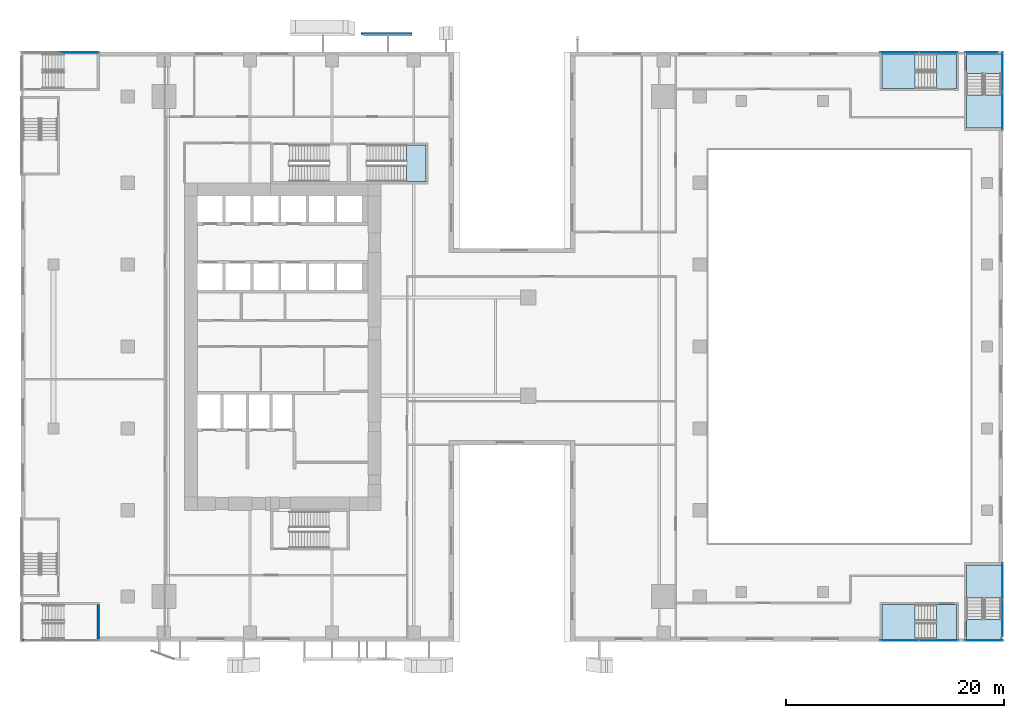
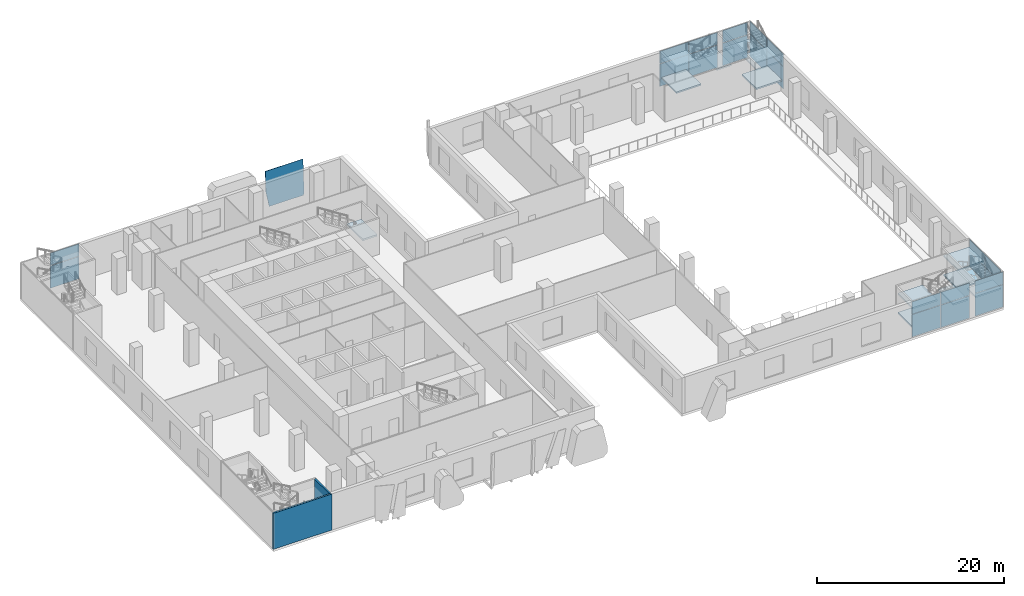
# One storey, part 9 of 23: 23 plates, 13 slabs, 2 walls, 12 elements without a shape of their own.
"""IFC4 building model written with IfcOpenShell, lengths in metres."""

import ifcopenshell
import ifcopenshell.guid

model = None  # the IFC model being written
_history = None  # IfcOwnerHistory: only IFC2X3 demands one
_inside = {}  # id of a spatial element -> (the spatial element, [elements in it])
_under = {}  # id of a project, library or spatial element -> (it, [spatial elements below it])
_declared = {}  # id of a project -> (the project, [libraries it declares])
_typed = {}  # id of a type object -> (the type object, [elements of that type])
_made_of = {}  # id of a material, layer set ... -> (it, [elements and type objects made of it])


def new_model(schema):
    """Start an empty IFC model of exactly this schema.

    Asked for "IFC4X3", IfcOpenShell would pick the latest addendum, in which some entities
    have other attributes; the version numbers below select the first issue.
    IFC2X3 requires an IfcOwnerHistory on every rooted entity: one is made here for all.
    """
    global model, _history
    if schema == "IFC4X3":
        model = ifcopenshell.file(schema_version=(4, 3, 0, 0))
    else:
        model = ifcopenshell.file(schema=schema)
    _inside.clear()
    _under.clear()
    _declared.clear()
    _typed.clear()
    _made_of.clear()
    _history = None
    if model.schema == "IFC2X3":
        org = make("IfcOrganization", Name="unknown")
        user = make(
            "IfcPersonAndOrganization",
            ThePerson=make("IfcPerson", FamilyName="unknown"),
            TheOrganization=org,
        )
        app = make(
            "IfcApplication",
            ApplicationDeveloper=org,
            Version="unknown",
            ApplicationFullName="unknown",
            ApplicationIdentifier="unknown",
        )
        _history = make(
            "IfcOwnerHistory",
            OwningUser=user,
            OwningApplication=app,
            ChangeAction="ADDED",
            CreationDate=0,
        )
    return model


def make(cls, **values):
    """One entity of the class cls with the attributes given. An attribute that is None is left unset."""
    return model.create_entity(
        cls, **{name: value for name, value in values.items() if value is not None}
    )


def rooted(cls, **values):
    """An entity with a GlobalId (a new one), such as an element, a storey or a relation."""
    return make(cls, GlobalId=ifcopenshell.guid.new(), OwnerHistory=_history, **values)


def si_unit(unit_type, name, prefix=None):
    """IfcSIUnit, for example si_unit("LENGTHUNIT", "METRE", prefix="MILLI")."""
    return make("IfcSIUnit", UnitType=unit_type, Prefix=prefix, Name=name)


def assignment(units):
    """IfcUnitAssignment: the units of a project."""
    return None if units is None else make("IfcUnitAssignment", Units=units)


def point(xyz):
    """IfcCartesianPoint."""
    return None if xyz is None else make("IfcCartesianPoint", Coordinates=xyz)


def direction(xyz):
    """IfcDirection."""
    return None if xyz is None else make("IfcDirection", DirectionRatios=xyz)


def frame(location, z_axis=None, x_axis=None):
    """IfcAxis2Placement3D, a coordinate frame: its origin and axes. An axis left out is left unset."""
    return make(
        "IfcAxis2Placement3D",
        Location=point(location),
        Axis=direction(z_axis),
        RefDirection=direction(x_axis),
    )


def frame_2d(location, x_axis=None):
    """IfcAxis2Placement2D, a coordinate frame in the plane: its origin and x axis."""
    return make(
        "IfcAxis2Placement2D", Location=point(location), RefDirection=direction(x_axis)
    )


def origin():
    """The frame at (0, 0, 0) with its axes left unset."""
    return frame((0.0, 0.0, 0.0))


def origin_2d():
    """The frame at (0, 0) in the plane with its x axis left unset."""
    return frame_2d((0.0, 0.0))


def place(relative_to, where):
    """IfcLocalPlacement: puts the frame where relative to a parent placement (None: the world)."""
    return make(
        "IfcLocalPlacement", PlacementRelTo=relative_to, RelativePlacement=where
    )


def context(
    kind, dimensions, precision=None, world=None, true_north=None, identifier=None
):
    """IfcGeometricRepresentationContext, for example the 3D "Model" context."""
    return make(
        "IfcGeometricRepresentationContext",
        ContextIdentifier=identifier,
        ContextType=kind,
        CoordinateSpaceDimension=dimensions,
        Precision=precision,
        WorldCoordinateSystem=world,
        TrueNorth=true_north,
    )


def subcontext(parent, identifier, kind, view, scale=None):
    """IfcGeometricRepresentationSubContext, for example "Body" below "Model"."""
    return make(
        "IfcGeometricRepresentationSubContext",
        ContextIdentifier=identifier,
        ContextType=kind,
        ParentContext=parent,
        TargetScale=scale,
        TargetView=view,
    )


def project(units=None, contexts=None):
    """IfcProject with its units and contexts."""
    return rooted(
        "IfcProject",
        Name="project",
        RepresentationContexts=contexts,
        UnitsInContext=assignment(units),
    )


def spatial(cls, under=None, at=None, **own):
    """A site, building, storey or space (cls), placed at a placement, below another one or the project."""
    s = rooted(cls, ObjectPlacement=at, **own)
    if under is not None:
        _under.setdefault(under.id(), (under, []))[1].append(s)
    return s


def polyline(points):
    """IfcPolyline through the points."""
    return make("IfcPolyline", Points=[point(p) for p in points])


def profile(cls, at=None, kind="AREA", **sizes):
    """A parametric profile (cls). Its sizes go by their IFC names, for example OverallWidth=200.0."""
    return make(cls, ProfileType=kind, Position=at, **sizes)


def rectangle(**sizes):
    """IfcRectangleProfileDef."""
    return profile("IfcRectangleProfileDef", **sizes)


def outline(outer, holes=None, kind="AREA"):
    """IfcArbitraryClosedProfileDef: a profile drawn as a closed curve; with holes, ...WithVoids."""
    if holes is None:
        return make("IfcArbitraryClosedProfileDef", ProfileType=kind, OuterCurve=outer)
    return make(
        "IfcArbitraryProfileDefWithVoids",
        ProfileType=kind,
        OuterCurve=outer,
        InnerCurves=holes,
    )


def extrude(swept, where, along, depth):
    """IfcExtrudedAreaSolid: the profile swept, set in the frame where, extruded along a direction by depth."""
    return make(
        "IfcExtrudedAreaSolid",
        SweptArea=swept,
        Position=where,
        ExtrudedDirection=direction(along),
        Depth=depth,
    )


def shape(context_of_items, identifier, shape_type, items):
    """IfcShapeRepresentation: the items that make up one representation, for example the "Body"."""
    return make(
        "IfcShapeRepresentation",
        ContextOfItems=context_of_items,
        RepresentationIdentifier=identifier,
        RepresentationType=shape_type,
        Items=items,
    )


def source(mapping_origin, context_of_items, identifier, shape_type, items):
    """IfcRepresentationMap: a shape defined once, which mapped items show again and again."""
    return make(
        "IfcRepresentationMap",
        MappingOrigin=mapping_origin,
        MappedRepresentation=shape(context_of_items, identifier, shape_type, items),
    )


def transform(
    local_origin,
    x_axis=None,
    y_axis=None,
    z_axis=None,
    scale=None,
    scale2=None,
    scale3=None,
    uniform=True,
):
    """IfcCartesianTransformationOperator3D, or its non-uniform kind. x_axis, y_axis, z_axis: its Axis1, 2, 3."""
    if uniform:
        return make(
            "IfcCartesianTransformationOperator3D",
            Axis1=direction(x_axis),
            Axis2=direction(y_axis),
            LocalOrigin=point(local_origin),
            Scale=scale,
            Axis3=direction(z_axis),
        )
    return make(
        "IfcCartesianTransformationOperator3DnonUniform",
        Axis1=direction(x_axis),
        Axis2=direction(y_axis),
        LocalOrigin=point(local_origin),
        Scale=scale,
        Axis3=direction(z_axis),
        Scale2=scale2,
        Scale3=scale3,
    )


def mapped(mapping_source, mapping_target):
    """IfcMappedItem: shows the shape of a source again, moved by a transform."""
    return make(
        "IfcMappedItem", MappingSource=mapping_source, MappingTarget=mapping_target
    )


def material(Name=None, Category=None):
    """IfcMaterial."""
    return make("IfcMaterial", Name=Name, Category=Category)


def layer(
    of_material, thickness, ventilated=None, Name=None, Category=None, Priority=None
):
    """IfcMaterialLayer: one layer of a wall or slab, of a material (None: an air gap)."""
    return make(
        "IfcMaterialLayer",
        Material=of_material,
        LayerThickness=thickness,
        IsVentilated=ventilated,
        Name=Name,
        Category=Category,
        Priority=Priority,
    )


def layer_set(layers, Name=None):
    """IfcMaterialLayerSet."""
    return make("IfcMaterialLayerSet", MaterialLayers=layers, LayerSetName=Name)


def made_of(thing, what):
    """Note that an element or type object is made of a material, layer set ...; save() writes the relation."""
    if what is not None:
        _made_of.setdefault(what.id(), (what, []))[1].append(thing)
    return thing


def type_object(cls, material=None, **own):
    """A type object (cls), such as IfcWallType, which elements share."""
    return made_of(rooted(cls, **own), material)


def element(
    cls,
    number,
    at=None,
    inside=None,
    cuts=None,
    type_object=None,
    material=None,
    context=None,
    identifier="Body",
    shape_type=None,
    held_by="IfcProductDefinitionShape",
    body=None,
    shapes=None,
    **own,
):
    """One element of the class cls, such as IfcWall. Its Tag is "e" and its number.

    at: its placement. inside: the storey or other place that contains it. cuts: it is an
    opening in that element (IfcRelVoidsElement). A single representation is given by context,
    identifier, shape_type and body (its items); several are given by shapes. held_by: the class
    of the entity that holds the representations. save() writes the other relations.
    """
    e = rooted(cls, Tag="e%d" % number, ObjectPlacement=at, **own)
    if body is not None:
        shapes = [shape(context, identifier, shape_type, body)]
    if shapes is not None:
        e.Representation = make(held_by, Representations=shapes)
    if inside is not None:
        _inside.setdefault(inside.id(), (inside, []))[1].append(e)
    if cuts is not None:
        rooted(
            "IfcRelVoidsElement", RelatingBuildingElement=cuts, RelatedOpeningElement=e
        )
    if type_object is not None:
        _typed.setdefault(type_object.id(), (type_object, []))[1].append(e)
    return made_of(e, material)


def aggregate(whole, parts):
    """IfcRelAggregates: a whole, such as a stair, and the parts it consists of."""
    return rooted("IfcRelAggregates", RelatingObject=whole, RelatedObjects=parts)


def save(model, path):
    """Write the relations noted so far, then the file.

    IfcRelAggregates (storeys below a building ...), IfcRelContainedInSpatialStructure (elements
    in a storey), IfcRelDefinesByType, IfcRelAssociatesMaterial and IfcRelDeclares: one each for
    every whole, place, type object, material and project.
    """
    for whole, parts in _under.values():
        aggregate(whole, parts)
    for where, things in _inside.values():
        rooted(
            "IfcRelContainedInSpatialStructure",
            RelatedElements=things,
            RelatingStructure=where,
        )
    for kind, things in _typed.values():
        rooted("IfcRelDefinesByType", RelatedObjects=things, RelatingType=kind)
    for what, things in _made_of.values():
        rooted("IfcRelAssociatesMaterial", RelatedObjects=things, RelatingMaterial=what)
    for by, libraries in _declared.values():
        rooted("IfcRelDeclares", RelatingContext=by, RelatedDefinitions=libraries)
    model.write(path)


model = new_model("IFC4")

# Units and contexts
model_context = context("Model", 3, precision=1e-05, world=origin(), true_north=direction((0.0, 1.0)))
body_context = subcontext(model_context, "Body", "Model", "MODEL_VIEW")
ifc_project = project(units=[si_unit("LENGTHUNIT", "METRE"), si_unit("AREAUNIT", "SQUARE_METRE"), si_unit("VOLUMEUNIT", "CUBIC_METRE"), si_unit("PLANEANGLEUNIT", "RADIAN"), si_unit("MASSUNIT", "GRAM", prefix="KILO")], contexts=[model_context])

# Site, building, storey
site_placement = place(None, origin())
site = spatial("IfcSite", under=ifc_project, at=site_placement, CompositionType="ELEMENT")
building_placement = place(site_placement, origin())
building = spatial("IfcBuilding", under=site, at=building_placement, Name="Khomas Fold Tower", CompositionType="ELEMENT")
storey_placement = place(building_placement, frame((0.0, 0.0, 18.5)))
storey = spatial("IfcBuildingStorey", under=building, at=storey_placement, Name="L03", CompositionType="ELEMENT", Elevation=18.5)

# Plate
ifc_material_1 = material(Name="Clear laminated glass", Category="glass")
ifc_layer_1 = layer(ifc_material_1, 0.0400390625)
ifc_layer_set_1 = layer_set([ifc_layer_1], Name="Clear laminated glass")
plate_type_1 = type_object("IfcPlateType", Name="SK-Clear laminated glass leaf", PredefinedType="SHEET", material=ifc_layer_set_1)
plate_1_placement = place(storey_placement, frame((22.169921875, 55.5810546875, 1.99658203125), z_axis=(1.1925548e-05, -0.998631536075, 0.052297753443), x_axis=(3.05e-10, 0.052297753447, 0.998631536146)))
element("IfcPlate", 1, at=plate_1_placement, inside=storey, type_object=plate_type_1, Name="OUTER SKIN glass L03 NG102-1", PredefinedType="SHEET", context=body_context, shape_type="SweptSolid", body=[
    extrude(outline(polyline([(0.0, 0.0), (2.5569693372644378, -2.117582368135751e-22), (2.5569693386858865, -4.66015624966862), (-1.6406671740015497, -4.660156251480852), (-1.9993144861719894, -4.572753907340372), (-1.9993144874590976, -0.3530273451404338), (0.0, 0.0)])), origin(), (0.0, 0.0, -1.0), 0.0400390625),
])

# Curtain wall, plate
ifc_material_2 = material(Name="Aluminium framed double glazing", Category="aluminium")
curtain_wall_type = type_object("IfcCurtainWallType", Name="Shopfront glazing PD-CW", PredefinedType="NOTDEFINED", material=ifc_material_2)
curtain_wall_1_placement = place(storey_placement, origin())
curtain_wall_1 = element("IfcCurtainWall", 2, at=curtain_wall_1_placement, inside=storey, type_object=curtain_wall_type, Name="Podium stair-tower glazing", PredefinedType="NOTDEFINED")
ifc_material_3 = material(Name="Double glazed unit")
ifc_layer_2 = layer(ifc_material_3, 0.031982421875)
ifc_layer_set_2 = layer_set([ifc_layer_2], Name="Double glazed unit")
plate_type_2 = type_object("IfcPlateType", Name="Shopfront glazing panel PD-CW-P", PredefinedType="CURTAIN_PANEL", material=ifc_layer_set_2)
shared_shape_1 = source(origin(), body_context, "Body", "SweptSolid", [
    extrude(rectangle(XDim=3.0400390625, YDim=0.031982421875, at=origin_2d()), origin(), (0.0, 0.0, 1.0), 2.909912109375),
])
plate_2_placement = place(storey_placement, frame((79.02001953125, 53.919921875, 0.06005859375), z_axis=(0.0, 0.0, 1.0), x_axis=(-1.0, 0.0, 0.0)))
plate_2 = element("IfcPlate", 3, at=plate_2_placement, type_object=plate_type_2, Name="PD-CW panel 1.1", PredefinedType="CURTAIN_PANEL", context=body_context, shape_type="MappedRepresentation", body=[
    mapped(shared_shape_1, transform((0.0, 0.0, 0.0))),
])

# Curtain wall, plates
curtain_wall_2_placement = place(storey_placement, origin())
curtain_wall_2 = element("IfcCurtainWall", 4, at=curtain_wall_2_placement, inside=storey, type_object=curtain_wall_type, Name="Podium stair-tower glazing", PredefinedType="NOTDEFINED")
shared_shape_2 = source(origin(), body_context, "Body", "SweptSolid", [
    extrude(rectangle(XDim=3.52001953125, YDim=0.031982421875, at=origin_2d()), origin(), (0.0, 0.0, 1.0), 2.909912109375),
])
plate_3_placement = place(storey_placement, frame((71.510009765625, 0.080078125, 0.06005859375), z_axis=(0.0, 0.0, 1.0), x_axis=(1.0, 0.0, 0.0)))
plate_3 = element("IfcPlate", 5, at=plate_3_placement, type_object=plate_type_2, Name="PD-CW panel 1.1", PredefinedType="CURTAIN_PANEL", context=body_context, shape_type="MappedRepresentation", body=[
    mapped(shared_shape_2, transform((0.0, 0.0, 0.0))),
])
plate_4_placement = place(storey_placement, frame((75.090087890625, 0.080078125, 0.06005859375), z_axis=(0.0, 0.0, 1.0), x_axis=(1.0, 0.0, 0.0)))
plate_4 = element("IfcPlate", 6, at=plate_4_placement, type_object=plate_type_2, Name="PD-CW panel 2.1", PredefinedType="CURTAIN_PANEL", context=body_context, shape_type="MappedRepresentation", body=[
    mapped(shared_shape_2, transform((0.0, 0.0, 0.0))),
])

curtain_wall_3_placement = place(storey_placement, origin())
curtain_wall_3 = element("IfcCurtainWall", 7, at=curtain_wall_3_placement, inside=storey, type_object=curtain_wall_type, Name="Podium stair-tower glazing", PredefinedType="NOTDEFINED")
plate_5_placement = place(storey_placement, frame((75.090087890625, 53.919921875, 0.06005859375), z_axis=(0.0, 0.0, 1.0), x_axis=(-1.0, 0.0, 0.0)))
plate_5 = element("IfcPlate", 8, at=plate_5_placement, type_object=plate_type_2, Name="PD-CW panel 1.1", PredefinedType="CURTAIN_PANEL", context=body_context, shape_type="MappedRepresentation", body=[
    mapped(shared_shape_2, transform((0.0, 0.0, 0.0))),
])
plate_6_placement = place(storey_placement, frame((71.510009765625, 53.919921875, 0.06005859375), z_axis=(0.0, 0.0, 1.0), x_axis=(-1.0, 0.0, 0.0)))
plate_6 = element("IfcPlate", 9, at=plate_6_placement, type_object=plate_type_2, Name="PD-CW panel 2.1", PredefinedType="CURTAIN_PANEL", context=body_context, shape_type="MappedRepresentation", body=[
    mapped(shared_shape_2, transform((0.0, 0.0, 0.0))),
])

# Curtain wall, plate
curtain_wall_4_placement = place(storey_placement, origin())
curtain_wall_4 = element("IfcCurtainWall", 10, at=curtain_wall_4_placement, inside=storey, type_object=curtain_wall_type, Name="Podium stair-tower glazing", PredefinedType="NOTDEFINED")
shared_shape_3 = source(origin(), body_context, "Body", "SweptSolid", [
    extrude(rectangle(XDim=3.43994140625, YDim=0.031982421875, at=origin_2d()), origin(), (0.0, 0.0, 1.0), 2.909912109375),
])
plate_7_placement = place(storey_placement, frame((79.219970703125, 0.080078125, 0.06005859375), z_axis=(0.0, 0.0, 1.0), x_axis=(1.0, 0.0, 0.0)))
plate_7 = element("IfcPlate", 11, at=plate_7_placement, type_object=plate_type_2, Name="PD-CW panel 1.1", PredefinedType="CURTAIN_PANEL", context=body_context, shape_type="MappedRepresentation", body=[
    mapped(shared_shape_3, transform((0.0, 0.0, 0.0))),
])

# Curtain wall, plates
curtain_wall_5_placement = place(storey_placement, origin())
curtain_wall_5 = element("IfcCurtainWall", 12, at=curtain_wall_5_placement, inside=storey, type_object=curtain_wall_type, Name="Podium stair-tower glazing", PredefinedType="NOTDEFINED")
shared_shape_4 = source(origin(), body_context, "Body", "SweptSolid", [
    extrude(rectangle(XDim=3.31494140625, YDim=0.031982421875, at=origin_2d()), origin(), (0.0, 0.0, 1.0), 2.909912109375),
])
plate_8_placement = place(storey_placement, frame((80.919921875, 2.117431640625, 0.06005859375), z_axis=(0.0, 0.0, 1.0), x_axis=(0.0, 1.0, 0.0)))
plate_8 = element("IfcPlate", 13, at=plate_8_placement, type_object=plate_type_2, Name="PD-CW panel 1.1", PredefinedType="CURTAIN_PANEL", context=body_context, shape_type="MappedRepresentation", body=[
    mapped(shared_shape_4, transform((0.0, 0.0, 0.0))),
])
plate_9_placement = place(storey_placement, frame((80.919921875, 5.492431640625, 0.06005859375), z_axis=(0.0, 0.0, 1.0), x_axis=(0.0, 1.0, 0.0)))
plate_9 = element("IfcPlate", 14, at=plate_9_placement, type_object=plate_type_2, Name="PD-CW panel 2.1", PredefinedType="CURTAIN_PANEL", context=body_context, shape_type="MappedRepresentation", body=[
    mapped(shared_shape_4, transform((0.0, 0.0, 0.0))),
])

curtain_wall_6_placement = place(storey_placement, origin())
curtain_wall_6 = element("IfcCurtainWall", 15, at=curtain_wall_6_placement, inside=storey, type_object=curtain_wall_type, Name="Podium stair-tower glazing", PredefinedType="NOTDEFINED")
shared_shape_5 = source(origin(), body_context, "Body", "SweptSolid", [
    extrude(rectangle(XDim=3.514892578125, YDim=0.031982421875, at=origin_2d()), origin(), (0.0, 0.0, 1.0), 2.909912109375),
])
plate_10_placement = place(storey_placement, frame((80.919921875, 48.607421875, 0.06005859375), z_axis=(0.0, 0.0, 1.0), x_axis=(0.0, 1.0, 0.0)))
plate_10 = element("IfcPlate", 16, at=plate_10_placement, type_object=plate_type_2, Name="PD-CW panel 1.1", PredefinedType="CURTAIN_PANEL", context=body_context, shape_type="MappedRepresentation", body=[
    mapped(shared_shape_5, transform((0.0, 0.0, 0.0))),
])
plate_11_placement = place(storey_placement, frame((80.919921875, 52.1826171875, 0.06005859375), z_axis=(0.0, 0.0, 1.0), x_axis=(0.0, 1.0, 0.0)))
plate_11 = element("IfcPlate", 17, at=plate_11_placement, type_object=plate_type_2, Name="PD-CW panel 2.1", PredefinedType="CURTAIN_PANEL", context=body_context, shape_type="MappedRepresentation", body=[
    mapped(shared_shape_5, transform((0.0, 0.0, 0.0))),
])

# Curtain wall, plate
curtain_wall_7_placement = place(storey_placement, origin())
curtain_wall_7 = element("IfcCurtainWall", 18, at=curtain_wall_7_placement, inside=storey, type_object=curtain_wall_type, Name="Podium stair-tower glazing", PredefinedType="NOTDEFINED")
plate_12_placement = place(storey_placement, frame((-3.607421875, 53.919921875, 0.06005859375), z_axis=(0.0, 0.0, 1.0), x_axis=(-1.0, 0.0, 0.0)))
plate_12 = element("IfcPlate", 19, at=plate_12_placement, type_object=plate_type_2, Name="PD-CW panel 1.1", PredefinedType="CURTAIN_PANEL", context=body_context, shape_type="MappedRepresentation", body=[
    mapped(shared_shape_5, transform((0.0, 0.0, 0.0))),
])

# Plate
shared_shape_6 = source(origin(), body_context, "Body", "SweptSolid", [
    extrude(rectangle(XDim=3.0400390625, YDim=0.031982421875, at=origin_2d()), origin(), (0.0, 0.0, 1.0), 1.610107421875),
])
plate_13_placement = place(storey_placement, frame((79.02001953125, 53.919921875, 3.02978515625), z_axis=(0.0, 0.0, 1.0), x_axis=(-1.0, 0.0, 0.0)))
plate_13 = element("IfcPlate", 20, at=plate_13_placement, type_object=plate_type_2, Name="PD-CW panel 1.2", PredefinedType="CURTAIN_PANEL", context=body_context, shape_type="MappedRepresentation", body=[
    mapped(shared_shape_6, transform((0.0, 0.0, 0.0))),
])

aggregate(curtain_wall_1, [plate_2, plate_13])

shared_shape_7 = source(origin(), body_context, "Body", "SweptSolid", [
    extrude(rectangle(XDim=3.52001953125, YDim=0.031982421875, at=origin_2d()), origin(), (0.0, 0.0, 1.0), 1.610107421875),
])
plate_14_placement = place(storey_placement, frame((71.510009765625, 0.080078125, 3.02978515625), z_axis=(0.0, 0.0, 1.0), x_axis=(1.0, 0.0, 0.0)))
plate_14 = element("IfcPlate", 21, at=plate_14_placement, type_object=plate_type_2, Name="PD-CW panel 1.2", PredefinedType="CURTAIN_PANEL", context=body_context, shape_type="MappedRepresentation", body=[
    mapped(shared_shape_7, transform((0.0, 0.0, 0.0))),
])

plate_15_placement = place(storey_placement, frame((75.090087890625, 0.080078125, 3.02978515625), z_axis=(0.0, 0.0, 1.0), x_axis=(1.0, 0.0, 0.0)))
plate_15 = element("IfcPlate", 22, at=plate_15_placement, type_object=plate_type_2, Name="PD-CW panel 2.2", PredefinedType="CURTAIN_PANEL", context=body_context, shape_type="MappedRepresentation", body=[
    mapped(shared_shape_7, transform((0.0, 0.0, 0.0))),
])

aggregate(curtain_wall_2, [plate_3, plate_14, plate_4, plate_15])

plate_16_placement = place(storey_placement, frame((75.090087890625, 53.919921875, 3.02978515625), z_axis=(0.0, 0.0, 1.0), x_axis=(-1.0, 0.0, 0.0)))
plate_16 = element("IfcPlate", 23, at=plate_16_placement, type_object=plate_type_2, Name="PD-CW panel 1.2", PredefinedType="CURTAIN_PANEL", context=body_context, shape_type="MappedRepresentation", body=[
    mapped(shared_shape_7, transform((0.0, 0.0, 0.0))),
])

plate_17_placement = place(storey_placement, frame((71.510009765625, 53.919921875, 3.02978515625), z_axis=(0.0, 0.0, 1.0), x_axis=(-1.0, 0.0, 0.0)))
plate_17 = element("IfcPlate", 24, at=plate_17_placement, type_object=plate_type_2, Name="PD-CW panel 2.2", PredefinedType="CURTAIN_PANEL", context=body_context, shape_type="MappedRepresentation", body=[
    mapped(shared_shape_7, transform((0.0, 0.0, 0.0))),
])

aggregate(curtain_wall_3, [plate_5, plate_16, plate_6, plate_17])

shared_shape_8 = source(origin(), body_context, "Body", "SweptSolid", [
    extrude(rectangle(XDim=3.43994140625, YDim=0.031982421875, at=origin_2d()), origin(), (0.0, 0.0, 1.0), 1.610107421875),
])
plate_18_placement = place(storey_placement, frame((79.219970703125, 0.080078125, 3.02978515625), z_axis=(0.0, 0.0, 1.0), x_axis=(1.0, 0.0, 0.0)))
plate_18 = element("IfcPlate", 25, at=plate_18_placement, type_object=plate_type_2, Name="PD-CW panel 1.2", PredefinedType="CURTAIN_PANEL", context=body_context, shape_type="MappedRepresentation", body=[
    mapped(shared_shape_8, transform((0.0, 0.0, 0.0))),
])

aggregate(curtain_wall_4, [plate_7, plate_18])

shared_shape_9 = source(origin(), body_context, "Body", "SweptSolid", [
    extrude(rectangle(XDim=3.31494140625, YDim=0.031982421875, at=origin_2d()), origin(), (0.0, 0.0, 1.0), 1.610107421875),
])
plate_19_placement = place(storey_placement, frame((80.919921875, 2.117431640625, 3.02978515625), z_axis=(0.0, 0.0, 1.0), x_axis=(0.0, 1.0, 0.0)))
plate_19 = element("IfcPlate", 26, at=plate_19_placement, type_object=plate_type_2, Name="PD-CW panel 1.2", PredefinedType="CURTAIN_PANEL", context=body_context, shape_type="MappedRepresentation", body=[
    mapped(shared_shape_9, transform((0.0, 0.0, 0.0))),
])

plate_20_placement = place(storey_placement, frame((80.919921875, 5.492431640625, 3.02978515625), z_axis=(0.0, 0.0, 1.0), x_axis=(0.0, 1.0, 0.0)))
plate_20 = element("IfcPlate", 27, at=plate_20_placement, type_object=plate_type_2, Name="PD-CW panel 2.2", PredefinedType="CURTAIN_PANEL", context=body_context, shape_type="MappedRepresentation", body=[
    mapped(shared_shape_9, transform((0.0, 0.0, 0.0))),
])

aggregate(curtain_wall_5, [plate_8, plate_19, plate_9, plate_20])

shared_shape_10 = source(origin(), body_context, "Body", "SweptSolid", [
    extrude(rectangle(XDim=3.514892578125, YDim=0.031982421875, at=origin_2d()), origin(), (0.0, 0.0, 1.0), 1.610107421875),
])
plate_21_placement = place(storey_placement, frame((80.919921875, 48.607421875, 3.02978515625), z_axis=(0.0, 0.0, 1.0), x_axis=(0.0, 1.0, 0.0)))
plate_21 = element("IfcPlate", 28, at=plate_21_placement, type_object=plate_type_2, Name="PD-CW panel 1.2", PredefinedType="CURTAIN_PANEL", context=body_context, shape_type="MappedRepresentation", body=[
    mapped(shared_shape_10, transform((0.0, 0.0, 0.0))),
])

plate_22_placement = place(storey_placement, frame((80.919921875, 52.1826171875, 3.02978515625), z_axis=(0.0, 0.0, 1.0), x_axis=(0.0, 1.0, 0.0)))
plate_22 = element("IfcPlate", 29, at=plate_22_placement, type_object=plate_type_2, Name="PD-CW panel 2.2", PredefinedType="CURTAIN_PANEL", context=body_context, shape_type="MappedRepresentation", body=[
    mapped(shared_shape_10, transform((0.0, 0.0, 0.0))),
])

aggregate(curtain_wall_6, [plate_10, plate_21, plate_11, plate_22])

plate_23_placement = place(storey_placement, frame((-3.607421875, 53.919921875, 3.02978515625), z_axis=(0.0, 0.0, 1.0), x_axis=(-1.0, 0.0, 0.0)))
plate_23 = element("IfcPlate", 30, at=plate_23_placement, type_object=plate_type_2, Name="PD-CW panel 1.2", PredefinedType="CURTAIN_PANEL", context=body_context, shape_type="MappedRepresentation", body=[
    mapped(shared_shape_10, transform((0.0, 0.0, 0.0))),
])

aggregate(curtain_wall_7, [plate_12, plate_23])

# Stair, slab
ifc_material_4 = material(Name="Concrete C40/50", Category="concrete")
stair_type_1 = type_object("IfcStairType", Name="Stair ST3", PredefinedType="HALF_TURN_STAIR", material=ifc_material_4)
stair_1_placement = place(storey_placement, origin())
stair_1 = element("IfcStair", 31, at=stair_1_placement, inside=storey, type_object=stair_type_1, Name="L03 ST3", PredefinedType="HALF_TURN_STAIR")
ifc_material_5 = material(Name="Concrete C40/50", Category="concrete")
ifc_layer_3 = layer(ifc_material_5, 0.199951171875)
ifc_layer_set_3 = layer_set([ifc_layer_3], Name="Concrete C40/50")
slab_type = type_object("IfcSlabType", Name="Stair landing 200", PredefinedType="LANDING", material=ifc_layer_set_3)
shared_shape_11 = source(origin(), body_context, "Body", "SweptSolid", [
    extrude(outline(polyline([(26.340087890625, 42.10009765625), (28.10009765625, 42.10009765625), (28.10009765625, 45.449951171875), (26.340087890625, 45.449951171875), (26.340087890625, 42.10009765625)])), origin(), (0.0, 0.0, 1.0), 0.199951171875),
])
slab_1_placement = place(storey_placement, frame((0.0, 0.0, 2.300048828125)))
slab_1 = element("IfcSlab", 32, at=slab_1_placement, type_object=slab_type, Name="ST3 landing 1", PredefinedType="LANDING", context=body_context, shape_type="MappedRepresentation", body=[
    mapped(shared_shape_11, transform((0.0, 0.0, 0.0))),
])
aggregate(stair_1, [slab_1])

# Stair, slabs
ifc_material_6 = material(Name="Concrete C40/50", Category="concrete")
stair_type_2 = type_object("IfcStairType", Name="Stair PS3", PredefinedType="HALF_TURN_STAIR", material=ifc_material_6)
stair_2_placement = place(storey_placement, origin())
stair_2 = element("IfcStair", 33, at=stair_2_placement, inside=storey, type_object=stair_type_2, Name="L03 PS3", PredefinedType="HALF_TURN_STAIR")
shared_shape_12 = source(origin(), body_context, "Body", "SweptSolid", [
    extrude(outline(polyline([(76.699951171875, 3.35009765625), (74.89990234375, 3.35009765625), (74.89990234375, 0.199951171875), (76.699951171875, 0.199951171875), (76.699951171875, 3.35009765625)])), origin(), (0.0, 0.0, 1.0), 0.199951171875),
])
slab_2_placement = place(storey_placement, frame((0.0, 0.0, 2.300048828125)))
slab_2 = element("IfcSlab", 34, at=slab_2_placement, type_object=slab_type, Name="PS3 landing 2", PredefinedType="LANDING", context=body_context, shape_type="MappedRepresentation", body=[
    mapped(shared_shape_12, transform((0.0, 0.0, 0.0))),
])
shared_shape_13 = source(origin(), body_context, "Body", "SweptSolid", [
    extrude(outline(polyline([(72.93994140625, 3.35009765625), (69.89990234375, 3.35009765625), (69.89990234375, 0.199951171875), (72.93994140625, 0.199951171875), (72.93994140625, 3.35009765625)])), origin(), (0.0, 0.0, 1.0), 0.199951171875),
])
slab_3_placement = place(storey_placement, frame((0.0, 0.0, 1.050048828125)))
slab_3 = element("IfcSlab", 35, at=slab_3_placement, type_object=slab_type, Name="PS3 landing 1", PredefinedType="LANDING", context=body_context, shape_type="MappedRepresentation", body=[
    mapped(shared_shape_13, transform((0.0, 0.0, 0.0))),
])
slab_4_placement = place(storey_placement, frame((0.0, 0.0, 3.550048828125)))
slab_4 = element("IfcSlab", 36, at=slab_4_placement, type_object=slab_type, Name="PS3 landing 3", PredefinedType="LANDING", context=body_context, shape_type="MappedRepresentation", body=[
    mapped(shared_shape_13, transform((0.0, 0.0, 0.0))),
])
aggregate(stair_2, [slab_3, slab_2, slab_4])

ifc_material_7 = material(Name="Concrete C40/50", Category="concrete")
stair_type_3 = type_object("IfcStairType", Name="Stair PS4", PredefinedType="HALF_TURN_STAIR", material=ifc_material_7)
stair_3_placement = place(storey_placement, origin())
stair_3 = element("IfcStair", 37, at=stair_3_placement, inside=storey, type_object=stair_type_3, Name="L03 PS4", PredefinedType="HALF_TURN_STAIR")
shared_shape_14 = source(origin(), body_context, "Body", "SweptSolid", [
    extrude(outline(polyline([(80.800048828125, 0.199951171875), (80.800048828125, 2.0), (77.64990234375, 2.0), (77.64990234375, 0.199951171875), (80.800048828125, 0.199951171875)])), origin(), (0.0, 0.0, 1.0), 0.199951171875),
])
slab_5_placement = place(storey_placement, frame((0.0, 0.0, 2.300048828125)))
slab_5 = element("IfcSlab", 38, at=slab_5_placement, type_object=slab_type, Name="PS4 landing 2", PredefinedType="LANDING", context=body_context, shape_type="MappedRepresentation", body=[
    mapped(shared_shape_14, transform((0.0, 0.0, 0.0))),
])
shared_shape_15 = source(origin(), body_context, "Body", "SweptSolid", [
    extrude(outline(polyline([(80.800048828125, 3.9599609375), (80.800048828125, 7.0), (77.64990234375, 7.0), (77.64990234375, 3.9599609375), (80.800048828125, 3.9599609375)])), origin(), (0.0, 0.0, 1.0), 0.199951171875),
])
slab_6_placement = place(storey_placement, frame((0.0, 0.0, 1.050048828125)))
slab_6 = element("IfcSlab", 39, at=slab_6_placement, type_object=slab_type, Name="PS4 landing 1", PredefinedType="LANDING", context=body_context, shape_type="MappedRepresentation", body=[
    mapped(shared_shape_15, transform((0.0, 0.0, 0.0))),
])
slab_7_placement = place(storey_placement, frame((0.0, 0.0, 3.550048828125)))
slab_7 = element("IfcSlab", 40, at=slab_7_placement, type_object=slab_type, Name="PS4 landing 3", PredefinedType="LANDING", context=body_context, shape_type="MappedRepresentation", body=[
    mapped(shared_shape_15, transform((0.0, 0.0, 0.0))),
])
aggregate(stair_3, [slab_6, slab_5, slab_7])

ifc_material_8 = material(Name="Concrete C40/50", Category="concrete")
stair_type_4 = type_object("IfcStairType", Name="Stair PS5", PredefinedType="HALF_TURN_STAIR", material=ifc_material_8)
stair_4_placement = place(storey_placement, origin())
stair_4 = element("IfcStair", 41, at=stair_4_placement, inside=storey, type_object=stair_type_4, Name="L03 PS5", PredefinedType="HALF_TURN_STAIR")
shared_shape_16 = source(origin(), body_context, "Body", "SweptSolid", [
    extrude(outline(polyline([(76.699951171875, 53.800048828125), (74.89990234375, 53.800048828125), (74.89990234375, 50.64990234375), (76.699951171875, 50.64990234375), (76.699951171875, 53.800048828125)])), origin(), (0.0, 0.0, 1.0), 0.199951171875),
])
slab_8_placement = place(storey_placement, frame((0.0, 0.0, 2.300048828125)))
slab_8 = element("IfcSlab", 42, at=slab_8_placement, type_object=slab_type, Name="PS5 landing 2", PredefinedType="LANDING", context=body_context, shape_type="MappedRepresentation", body=[
    mapped(shared_shape_16, transform((0.0, 0.0, 0.0))),
])
shared_shape_17 = source(origin(), body_context, "Body", "SweptSolid", [
    extrude(outline(polyline([(72.93994140625, 53.800048828125), (69.89990234375, 53.800048828125), (69.89990234375, 50.64990234375), (72.93994140625, 50.64990234375), (72.93994140625, 53.800048828125)])), origin(), (0.0, 0.0, 1.0), 0.199951171875),
])
slab_9_placement = place(storey_placement, frame((0.0, 0.0, 1.050048828125)))
slab_9 = element("IfcSlab", 43, at=slab_9_placement, type_object=slab_type, Name="PS5 landing 1", PredefinedType="LANDING", context=body_context, shape_type="MappedRepresentation", body=[
    mapped(shared_shape_17, transform((0.0, 0.0, 0.0))),
])
slab_10_placement = place(storey_placement, frame((0.0, 0.0, 3.550048828125)))
slab_10 = element("IfcSlab", 44, at=slab_10_placement, type_object=slab_type, Name="PS5 landing 3", PredefinedType="LANDING", context=body_context, shape_type="MappedRepresentation", body=[
    mapped(shared_shape_17, transform((0.0, 0.0, 0.0))),
])
aggregate(stair_4, [slab_9, slab_8, slab_10])

ifc_material_9 = material(Name="Concrete C40/50", Category="concrete")
stair_type_5 = type_object("IfcStairType", Name="Stair PS6", PredefinedType="HALF_TURN_STAIR", material=ifc_material_9)
stair_5_placement = place(storey_placement, origin())
stair_5 = element("IfcStair", 45, at=stair_5_placement, inside=storey, type_object=stair_type_5, Name="L03 PS6", PredefinedType="HALF_TURN_STAIR")
shared_shape_18 = source(origin(), body_context, "Body", "SweptSolid", [
    extrude(outline(polyline([(77.64990234375, 53.800048828125), (77.64990234375, 52.0), (80.800048828125, 52.0), (80.800048828125, 53.800048828125), (77.64990234375, 53.800048828125)])), origin(), (0.0, 0.0, 1.0), 0.199951171875),
])
slab_11_placement = place(storey_placement, frame((0.0, 0.0, 2.300048828125)))
slab_11 = element("IfcSlab", 46, at=slab_11_placement, type_object=slab_type, Name="PS6 landing 2", PredefinedType="LANDING", context=body_context, shape_type="MappedRepresentation", body=[
    mapped(shared_shape_18, transform((0.0, 0.0, 0.0))),
])
shared_shape_19 = source(origin(), body_context, "Body", "SweptSolid", [
    extrude(outline(polyline([(77.64990234375, 50.0400390625), (77.64990234375, 47.0), (80.800048828125, 47.0), (80.800048828125, 50.0400390625), (77.64990234375, 50.0400390625)])), origin(), (0.0, 0.0, 1.0), 0.199951171875),
])
slab_12_placement = place(storey_placement, frame((0.0, 0.0, 1.050048828125)))
slab_12 = element("IfcSlab", 47, at=slab_12_placement, type_object=slab_type, Name="PS6 landing 1", PredefinedType="LANDING", context=body_context, shape_type="MappedRepresentation", body=[
    mapped(shared_shape_19, transform((0.0, 0.0, 0.0))),
])
slab_13_placement = place(storey_placement, frame((0.0, 0.0, 3.550048828125)))
slab_13 = element("IfcSlab", 48, at=slab_13_placement, type_object=slab_type, Name="PS6 landing 3", PredefinedType="LANDING", context=body_context, shape_type="MappedRepresentation", body=[
    mapped(shared_shape_19, transform((0.0, 0.0, 0.0))),
])
aggregate(stair_5, [slab_12, slab_11, slab_13])

# Walls
ifc_material_10 = material(Name="Concrete C30/37", Category="concrete")
ifc_layer_4 = layer(ifc_material_10, 0.199951171875)
ifc_layer_set_4 = layer_set([ifc_layer_4], Name="Concrete C30/37")
wall_type = type_object("IfcWallType", Name="Stair wall PW5 200", PredefinedType="PARTITIONING", material=ifc_layer_set_4)
shared_shape_20 = source(origin(), body_context, "Body", "SweptSolid", [
    extrude(rectangle(XDim=7.199951171875, YDim=0.199951171875, at=frame_2d((3.60009765625, 0.0))), origin(), (0.0, 0.0, 1.0), 4.699951171875),
])
wall_1_placement = place(storey_placement, frame((-9.0, 0.10009765625, 0.0), z_axis=(0.0, 0.0, 1.0), x_axis=(1.0, 0.0, 0.0)))
element("IfcWall", 49, at=wall_1_placement, inside=storey, type_object=wall_type, Name="Stair wall", PredefinedType="PARTITIONING", context=body_context, shape_type="MappedRepresentation", body=[
    mapped(shared_shape_20, transform((0.0, 0.0, 0.0))),
])
shared_shape_21 = source(origin(), body_context, "Body", "SweptSolid", [
    extrude(rectangle(XDim=3.150146484375, YDim=0.199951171875, at=frame_2d((1.5751953125, 0.0))), origin(), (0.0, 0.0, 1.0), 4.699951171875),
])
wall_2_placement = place(storey_placement, frame((-1.89990234375, 0.199951171875, 0.0), z_axis=(0.0, 0.0, 1.0), x_axis=(0.0, 1.0, 0.0)))
element("IfcWall", 50, at=wall_2_placement, inside=storey, type_object=wall_type, Name="Stair wall", PredefinedType="PARTITIONING", context=body_context, shape_type="MappedRepresentation", body=[
    mapped(shared_shape_21, transform((0.0, 0.0, 0.0))),
])

save(model, "model.ifc")
